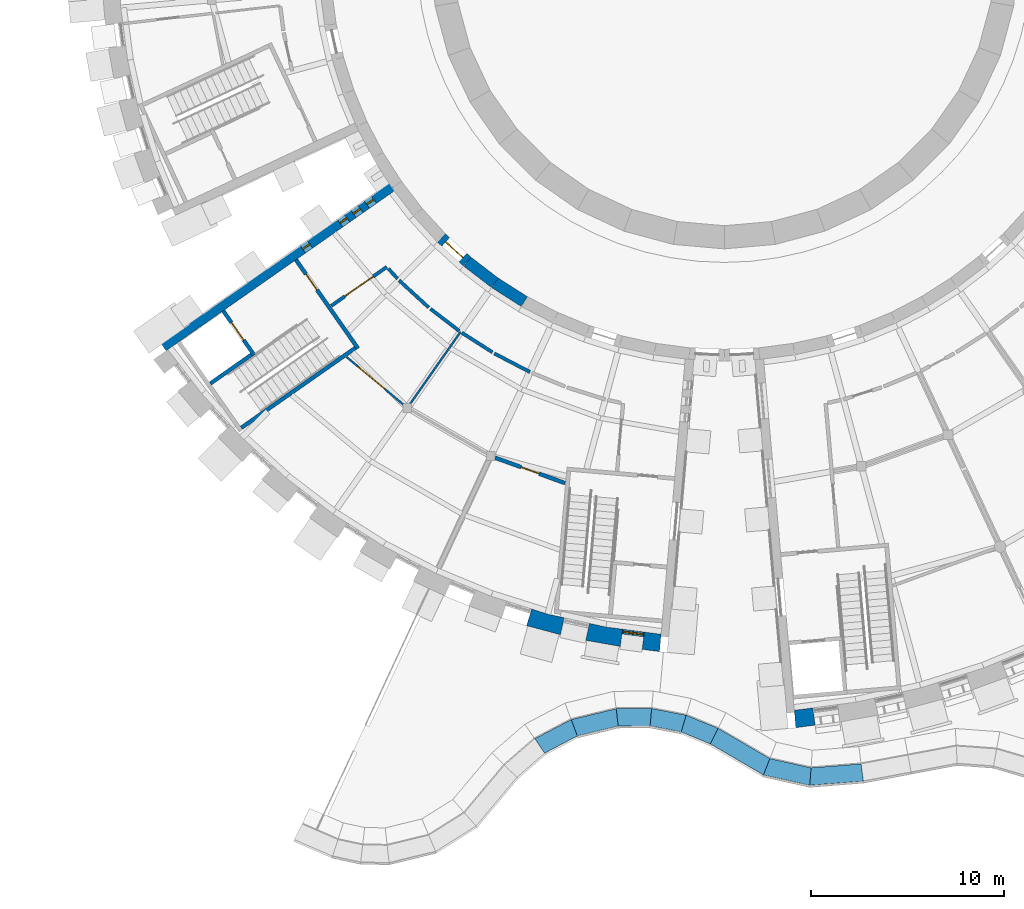
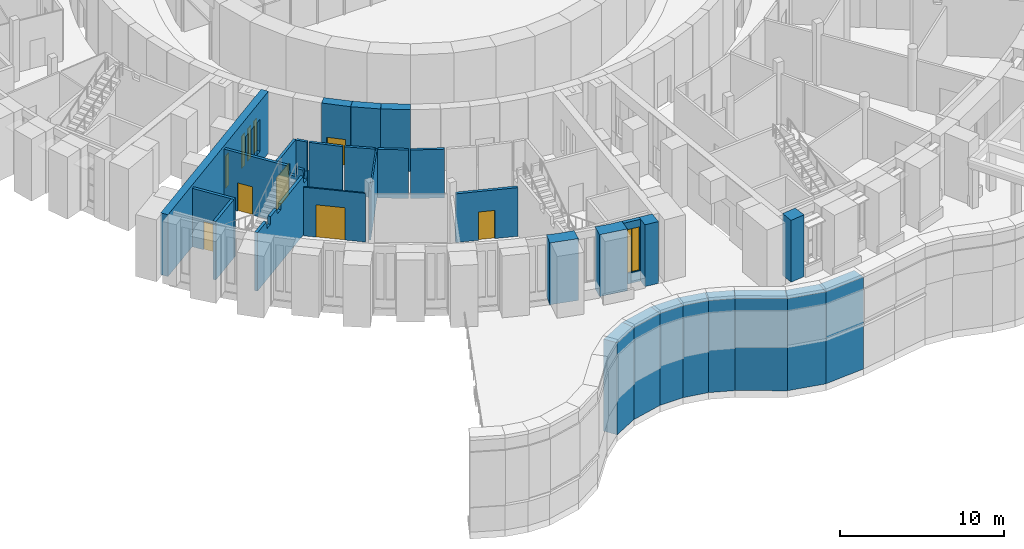
# One storey, part 46 of 85: 30 walls, 6 doors, 6 windows, 12 openings.
"""IFC4 building model written with IfcOpenShell, lengths in metres."""

from ifc_helpers import new_model, si_unit, direction, frame, frame_2d, origin, place, context, subcontext, project, spatial, polyline, rectangle, outline, extrude, material, layer, layer_set, type_object, element, fill, save


model = new_model("IFC4")

# Units and contexts
model_context = context("Model", 3, precision=1e-05, world=origin(), true_north=direction((0.0, 1.0)))
body_context = subcontext(model_context, "Body", "Model", "MODEL_VIEW")
ifc_project = project(units=[si_unit("LENGTHUNIT", "METRE"), si_unit("AREAUNIT", "SQUARE_METRE"), si_unit("VOLUMEUNIT", "CUBIC_METRE"), si_unit("PLANEANGLEUNIT", "RADIAN"), si_unit("MASSUNIT", "GRAM", prefix="KILO")], contexts=[model_context])

# Site, building, storey
site_placement = place(None, origin())
site = spatial("IfcSite", under=ifc_project, at=site_placement, CompositionType="ELEMENT")
building_placement = place(site_placement, origin())
building = spatial("IfcBuilding", under=site, at=building_placement, Name="Volute Hill Aquarium", CompositionType="ELEMENT")
storey_placement = place(building_placement, origin())
storey = spatial("IfcBuildingStorey", under=building, at=storey_placement, Name="L01", CompositionType="ELEMENT", Elevation=0.0)

# Wall, opening, door
ifc_material_1 = material(Name="Concrete C30/37", Category="concrete")
ifc_layer_1 = layer(ifc_material_1, 0.199951171875)
ifc_layer_set_1 = layer_set([ifc_layer_1], Name="Core wall 200 REI 60")
wall_type_1 = type_object("IfcWallType", Name="Core wall 200 REI 60", PredefinedType="SHEAR", material=ifc_layer_set_1)
wall_1_placement = place(storey_placement, frame((-22.166259765625, -15.76513671875, 0.0), z_axis=(0.0, 0.0, 1.0), x_axis=(0.573599855614, -0.819135645446, 0.0)))
wall_1 = element("IfcWall", 1, at=wall_1_placement, inside=storey, type_object=wall_type_1, Name="wc/S2-A/L01/in", PredefinedType="SHEAR", context=body_context, shape_type="SweptSolid", body=[
    extrude(outline(polyline([(0.0, 0.0), (5.60009765625, 0.0), (5.60009765625, 4.35009765625), (5.550048828125, 3.7900390625), (5.349853515625, 3.7900390625), (5.2998046875, 4.35009765625), (4.87841796875, 4.35009765625), (4.82861328125, 3.739990234375), (4.32861328125, 3.739990234375), (4.278564453125, 4.35009765625), (0.0, 4.35009765625), (0.0, 0.0)])), frame((0.0, 0.10009765625, 0.0), z_axis=(0.0, -1.0, 0.0), x_axis=(1.0, 0.0, 0.0)), (0.0, 0.0, 1.0), 0.199951171875),
])
opening_1_placement = place(wall_1_placement, frame((0.89990234375, 0.0, 0.0)))
opening_1 = element("IfcOpeningElement", 2, at=opening_1_placement, cuts=wall_1, Name="Opening D2.01.AS", PredefinedType="OPENING", context=body_context, shape_type="SweptSolid", body=[
    extrude(rectangle(XDim=1.0, YDim=2.10009765625, at=frame_2d((0.5, 1.050048828125))), frame((0.0, 0.10986328125, 0.0), z_axis=(0.0, -1.0, 0.0), x_axis=(1.0, 0.0, 0.0)), (0.0, 0.0, 1.0), 0.219970703125),
])
ifc_material_2 = material(Name="Timber, fire-rated", Category="wood")
door_type_1 = type_object("IfcDoorType", Name="Door 1000 x 2100 single EI1 30", OperationType="SINGLE_SWING_LEFT", PredefinedType="DOOR", material=ifc_material_2)
door_1_placement = place(opening_1_placement, origin())
door_1 = element("IfcDoor", 3, at=door_1_placement, inside=storey, type_object=door_type_1, Name="d/S2-A/L01/st", OperationType="SINGLE_SWING_RIGHT", OverallHeight=2.10009765625, OverallWidth=1.0, PredefinedType="DOOR", context=body_context, shape_type="SweptSolid", body=[
    extrude(rectangle(XDim=1.0, YDim=2.10009765625, at=frame_2d((0.5, 1.050048828125))), frame((0.0, 0.02490234375, 0.0), z_axis=(0.0, -1.0, 0.0), x_axis=(1.0, 0.0, 0.0)), (0.0, 0.0, 1.0), 0.050048828125),
])
fill(opening_1, door_1)

# Wall
wall_2_placement = place(storey_placement, frame((-19.093505859375, -20.327880859375, 0.0), z_axis=(0.0, 0.0, 1.0), x_axis=(-0.819161821637, -0.573562472597, 0.0)))
element("IfcWall", 4, at=wall_2_placement, inside=storey, type_object=wall_type_1, Name="wc/S2-A/L01/side", PredefinedType="SHEAR", context=body_context, shape_type="SweptSolid", body=[
    extrude(outline(polyline([(0.0, 0.0), (7.199951171875, 0.0), (7.199951171875, 4.35009765625), (5.8935546875, 4.35009765625), (5.843505859375, 3.7900390625), (5.343505859375, 3.7900390625), (5.293701171875, 4.35009765625), (4.397216796875, 4.35009765625), (4.34716796875, 3.93994140625), (3.84716796875, 3.93994140625), (3.797119140625, 4.35009765625), (0.577392578125, 4.35009765625), (0.52734375, 3.7900390625), (0.050048828125, 3.7900390625), (0.0, 4.35009765625), (0.0, 0.0)])), frame((0.0, 0.10009765625, 0.0), z_axis=(0.0, -1.0, 0.0), x_axis=(1.0, 0.0, 0.0)), (0.0, 0.0, 1.0), 0.199951171875),
])

# Wall, opening, door
ifc_material_3 = material(Name="Gypsum board on steel studs", Category="steel")
ifc_layer_2 = layer(ifc_material_3, 0.175048828125)
ifc_layer_set_2 = layer_set([ifc_layer_2], Name="Corridor partition 175 EI 60")
wall_type_2 = type_object("IfcWallType", Name="Corridor partition 175 EI 60", PredefinedType="PARTITIONING", material=ifc_layer_set_2)
wall_3_placement = place(storey_placement, frame((-17.464599609375, -16.135498046875, 0.0), z_axis=(0.0, 0.0, 1.0), x_axis=(-0.819192694316, -0.573518377717, 0.0)))
wall_3 = element("IfcWall", 5, at=wall_3_placement, inside=storey, type_object=wall_type_2, Name="pw/S2/L01/006", PredefinedType="PARTITIONING", context=body_context, shape_type="SweptSolid", body=[
    extrude(rectangle(XDim=3.509033203125, YDim=0.175048828125, at=frame_2d((1.75439453125, 0.0))), origin(), (0.0, 0.0, 1.0), 3.6201171875),
])
opening_2_placement = place(wall_3_placement, frame((0.8544921875, 0.0, 0.0)))
opening_2 = element("IfcOpeningElement", 6, at=opening_2_placement, cuts=wall_3, Name="Opening D2.01.01", PredefinedType="OPENING", context=body_context, shape_type="SweptSolid", body=[
    extrude(rectangle(XDim=1.800048828125, YDim=2.39990234375, at=frame_2d((0.89990234375, 1.199951171875))), frame((0.0, 0.097412109375, 0.0), z_axis=(0.0, -1.0, 0.0), x_axis=(1.0, 0.0, 0.0)), (0.0, 0.0, 1.0), 0.195068359375),
])
ifc_material_4 = material(Name="Timber, fire-rated", Category="wood")
door_type_2 = type_object("IfcDoorType", Name="Door 1800 x 2400 gallery double EI1 30", OperationType="DOUBLE_DOOR_SINGLE_SWING", PredefinedType="DOOR", material=ifc_material_4)
door_2_placement = place(opening_2_placement, origin())
door_2 = element("IfcDoor", 7, at=door_2_placement, inside=storey, type_object=door_type_2, Name="d/S2/L01/01", OperationType="SINGLE_SWING_LEFT", OverallHeight=2.39990234375, OverallWidth=1.800048828125, PredefinedType="DOOR", context=body_context, shape_type="SweptSolid", body=[
    extrude(rectangle(XDim=1.800048828125, YDim=2.39990234375, at=frame_2d((0.89990234375, 1.199951171875))), frame((0.0, 0.02490234375, 0.0), z_axis=(0.0, -1.0, 0.0), x_axis=(1.0, 0.0, 0.0)), (0.0, 0.0, 1.0), 0.050048828125),
])
fill(opening_2, door_2)

# Walls
wall_4_placement = place(storey_placement, frame((-15.29833984375, -18.23193359375, 0.0), z_axis=(0.0, 0.0, 1.0), x_axis=(-0.737241988031, 0.675628782013, 0.0)))
element("IfcWall", 8, at=wall_4_placement, inside=storey, type_object=wall_type_2, Name="pw/S2/L01/008", PredefinedType="PARTITIONING", context=body_context, shape_type="SweptSolid", body=[
    extrude(rectangle(XDim=2.076416015625, YDim=0.175048828125, at=frame_2d((1.0380859375, 0.0))), origin(), (0.0, 0.0, 1.0), 3.6201171875),
])
wall_5_placement = place(storey_placement, frame((-10.058349609375, -21.570068359375, 0.0), z_axis=(0.0, 0.0, 1.0), x_axis=(-0.886993362118, 0.461782173278, 0.0)))
element("IfcWall", 9, at=wall_5_placement, inside=storey, type_object=wall_type_2, Name="pw/S2/L01/009", PredefinedType="PARTITIONING", context=body_context, shape_type="SweptSolid", body=[
    extrude(rectangle(XDim=2.076171875, YDim=0.175048828125, at=frame_2d((1.0380859375, 0.0))), origin(), (0.0, 0.0, 1.0), 3.6201171875),
])
wall_6_placement = place(storey_placement, frame((-11.9990234375, -20.54833984375, 0.0), z_axis=(0.0, 0.0, 1.0), x_axis=(-0.843404579573, 0.537278991917, 0.0)))
element("IfcWall", 10, at=wall_6_placement, inside=storey, type_object=wall_type_2, Name="pw/S2/L01/011", PredefinedType="PARTITIONING", context=body_context, shape_type="SweptSolid", body=[
    extrude(rectangle(XDim=1.87890625, YDim=0.175048828125, at=frame_2d((0.939453125, 0.0))), origin(), (0.0, 0.0, 1.0), 3.6201171875),
])
wall_7_placement = place(storey_placement, frame((-13.714599609375, -19.447021484375, 0.0), z_axis=(0.0, 0.0, 1.0), x_axis=(-0.79338668339, 0.608717972973, 0.0)))
element("IfcWall", 11, at=wall_7_placement, inside=storey, type_object=wall_type_2, Name="pw/S2/L01/013", PredefinedType="PARTITIONING", context=body_context, shape_type="SweptSolid", body=[
    extrude(rectangle(XDim=1.878662109375, YDim=0.175048828125, at=frame_2d((0.939453125, 0.0))), origin(), (0.0, 0.0, 1.0), 3.6201171875),
])
wall_8_placement = place(storey_placement, frame((-16.908447265625, -16.742431640625, 0.0), z_axis=(0.0, 0.0, 1.0), x_axis=(-0.675834256002, 0.737053633337, 0.0)))
element("IfcWall", 12, at=wall_8_placement, inside=storey, type_object=wall_type_2, Name="pw/S2/L01/015", PredefinedType="PARTITIONING", context=body_context, shape_type="SweptSolid", body=[
    extrude(rectangle(XDim=0.705810546875, YDim=0.175048828125, at=frame_2d((0.35302734375, 0.0))), origin(), (0.0, 0.0, 1.0), 3.6201171875),
])

# Wall, opening, door
ifc_material_5 = material(Name="Concrete C35/45", Category="concrete")
ifc_layer_3 = layer(ifc_material_5, 0.60009765625)
ifc_layer_set_3 = layer_set([ifc_layer_3], Name="Drum wall C35/45 600")
wall_type_3 = type_object("IfcWallType", Name="Drum wall C35/45 600", PredefinedType="SHEAR", material=ifc_layer_set_3)
wall_9_placement = place(storey_placement, frame((-14.63720703125, -14.63720703125, 0.0), z_axis=(0.0, 0.0, 1.0), x_axis=(0.737322466268, -0.675540954152, 0.0)))
wall_9 = element("IfcWall", 13, at=wall_9_placement, inside=storey, type_object=wall_type_3, Name="sw/DR/L01/45", PredefinedType="SHEAR", context=body_context, shape_type="SweptSolid", body=[
    extrude(rectangle(XDim=1.805908203125, YDim=0.60009765625, at=frame_2d((0.90283203125, 0.0))), origin(), (0.0, 0.0, 1.0), 4.60009765625),
])
opening_3_placement = place(wall_9_placement, frame((0.302978515625, 0.0, 0.0)))
opening_3 = element("IfcOpeningElement", 14, at=opening_3_placement, cuts=wall_9, Name="Opening D2.01.R1", PredefinedType="OPENING", context=body_context, shape_type="SweptSolid", body=[
    extrude(rectangle(XDim=1.199951171875, YDim=2.10009765625, at=frame_2d((0.60009765625, 1.050048828125))), frame((0.0, 0.31005859375, 0.0), z_axis=(0.0, -1.0, 0.0), x_axis=(1.0, 0.0, 0.0)), (0.0, 0.0, 1.0), 0.6201171875),
])
ifc_material_6 = material(Name="Timber", Category="wood")
door_type_3 = type_object("IfcDoorType", Name="Door 1200 x 2100 drum double", OperationType="DOUBLE_DOOR_SINGLE_SWING", PredefinedType="DOOR", material=ifc_material_6)
door_3_placement = place(opening_3_placement, origin())
door_3 = element("IfcDoor", 15, at=door_3_placement, inside=storey, type_object=door_type_3, Name="d/S2/L01/dr1", OperationType="SINGLE_SWING_LEFT", OverallHeight=2.10009765625, OverallWidth=1.199951171875, PredefinedType="DOOR", context=body_context, shape_type="SweptSolid", body=[
    extrude(rectangle(XDim=1.199951171875, YDim=2.10009765625, at=frame_2d((0.60009765625, 1.050048828125))), frame((0.0, 0.02490234375, 0.0), z_axis=(0.0, -1.0, 0.0), x_axis=(1.0, 0.0, 0.0)), (0.0, 0.0, 1.0), 0.050048828125),
])
fill(opening_3, door_3)

# Walls
wall_10_placement = place(storey_placement, frame((-13.3056640625, -15.857177734375, 0.0), z_axis=(0.0, 0.0, 1.0), x_axis=(0.793397400526, -0.608704004289, 0.0)))
element("IfcWall", 16, at=wall_10_placement, inside=storey, type_object=wall_type_3, Name="sw/DR/L01/46", PredefinedType="SHEAR", context=body_context, shape_type="SweptSolid", body=[
    extrude(rectangle(XDim=1.8056640625, YDim=0.60009765625, at=frame_2d((0.90283203125, 0.0))), origin(), (0.0, 0.0, 1.0), 4.60009765625),
])
wall_11_placement = place(storey_placement, frame((-11.873046875, -16.956298828125, 0.0), z_axis=(0.0, 0.0, 1.0), x_axis=(0.843332890803, -0.537391510251, 0.0)))
element("IfcWall", 17, at=wall_11_placement, inside=storey, type_object=wall_type_3, Name="sw/DR/L01/47", PredefinedType="SHEAR", context=body_context, shape_type="SweptSolid", body=[
    extrude(rectangle(XDim=1.805908203125, YDim=0.60009765625, at=frame_2d((0.90283203125, 0.0))), origin(), (0.0, 0.0, 1.0), 4.60009765625),
])

# Wall, openings, windows
ifc_material_7 = material(Name="Concrete C35/45", Category="concrete")
ifc_layer_4 = layer(ifc_material_7, 0.5)
ifc_layer_set_4 = layer_set([ifc_layer_4], Name="End wall 500 C35/45")
wall_type_4 = type_object("IfcWallType", Name="End wall 500 C35/45", PredefinedType="SHEAR", material=ifc_layer_set_4)
wall_12_placement = place(storey_placement, frame((-17.14892578125, -11.94677734375, 0.0), z_axis=(0.0, 0.0, 1.0), x_axis=(-0.819150437903, -0.573578730501, 0.0)))
wall_12 = element("IfcWall", 18, at=wall_12_placement, inside=storey, type_object=wall_type_4, Name="sw/S2/L01/endA", PredefinedType="SHEAR", context=body_context, shape_type="SweptSolid", body=[
    extrude(rectangle(XDim=14.5, YDim=0.5, at=frame_2d((7.25, 0.0))), origin(), (0.0, 0.0, 1.0), 4.60009765625),
])
opening_4_placement = place(wall_12_placement, frame((1.206787109375, 0.0, 0.89990234375)))
opening_4 = element("IfcOpeningElement", 19, at=opening_4_placement, cuts=wall_12, Name="Opening W8", PredefinedType="OPENING", context=body_context, shape_type="SweptSolid", body=[
    extrude(rectangle(XDim=0.449951171875, YDim=2.39990234375, at=frame_2d((0.22509765625, 1.199951171875))), frame((0.0, 0.260009765625, 0.0), z_axis=(0.0, -1.0, 0.0), x_axis=(1.0, 0.0, 0.0)), (0.0, 0.0, 1.0), 0.52001953125),
])
opening_5_placement = place(wall_12_placement, frame((2.0498046875, 0.0, 0.89990234375)))
opening_5 = element("IfcOpeningElement", 20, at=opening_5_placement, cuts=wall_12, Name="Opening W8", PredefinedType="OPENING", context=body_context, shape_type="SweptSolid", body=[
    extrude(rectangle(XDim=0.449951171875, YDim=2.39990234375, at=frame_2d((0.22509765625, 1.199951171875))), frame((0.0, 0.260009765625, 0.0), z_axis=(0.0, -1.0, 0.0), x_axis=(1.0, 0.0, 0.0)), (0.0, 0.0, 1.0), 0.52001953125),
])
opening_6_placement = place(wall_12_placement, frame((2.892822265625, 0.0, 0.89990234375)))
opening_6 = element("IfcOpeningElement", 21, at=opening_6_placement, cuts=wall_12, Name="Opening W8", PredefinedType="OPENING", context=body_context, shape_type="SweptSolid", body=[
    extrude(rectangle(XDim=0.449951171875, YDim=2.39990234375, at=frame_2d((0.22509765625, 1.199951171875))), frame((0.0, 0.260009765625, 0.0), z_axis=(0.0, -1.0, 0.0), x_axis=(1.0, 0.0, 0.0)), (0.0, 0.0, 1.0), 0.52001953125),
])
opening_7_placement = place(wall_12_placement, frame((5.246826171875, 0.0, 0.89990234375)))
opening_7 = element("IfcOpeningElement", 22, at=opening_7_placement, cuts=wall_12, Name="Opening W8", PredefinedType="OPENING", context=body_context, shape_type="SweptSolid", body=[
    extrude(rectangle(XDim=0.449951171875, YDim=2.39990234375, at=frame_2d((0.22509765625, 1.199951171875))), frame((0.0, 0.260009765625, 0.0), z_axis=(0.0, -1.0, 0.0), x_axis=(1.0, 0.0, 0.0)), (0.0, 0.0, 1.0), 0.52001953125),
])
ifc_material_8 = material(Name="Aluminium and glass", Category="aluminium")
window_type_1 = type_object("IfcWindowType", Name="End wall window 450x2400", PartitioningType="SINGLE_PANEL", PredefinedType="WINDOW", material=ifc_material_8)
window_1_placement = place(opening_4_placement, origin())
window_1 = element("IfcWindow", 23, at=window_1_placement, inside=storey, type_object=window_type_1, Name="End wall window S2A L01 1.1", OverallHeight=2.39990234375, OverallWidth=0.449951171875, PartitioningType="SINGLE_PANEL", PredefinedType="WINDOW", context=body_context, shape_type="SweptSolid", body=[
    extrude(rectangle(XDim=0.449951171875, YDim=2.39990234375, at=frame_2d((0.22509765625, 1.199951171875))), frame((0.0, 0.030029296875, 0.0), z_axis=(0.0, -1.0, 0.0), x_axis=(1.0, 0.0, 0.0)), (0.0, 0.0, 1.0), 0.06005859375),
])
fill(opening_4, window_1)
window_2_placement = place(opening_5_placement, origin())
window_2 = element("IfcWindow", 24, at=window_2_placement, inside=storey, type_object=window_type_1, Name="End wall window S2A L01 1.2", OverallHeight=2.39990234375, OverallWidth=0.449951171875, PartitioningType="SINGLE_PANEL", PredefinedType="WINDOW", context=body_context, shape_type="SweptSolid", body=[
    extrude(rectangle(XDim=0.449951171875, YDim=2.39990234375, at=frame_2d((0.22509765625, 1.199951171875))), frame((0.0, 0.030029296875, 0.0), z_axis=(0.0, -1.0, 0.0), x_axis=(1.0, 0.0, 0.0)), (0.0, 0.0, 1.0), 0.06005859375),
])
fill(opening_5, window_2)
window_3_placement = place(opening_6_placement, origin())
window_3 = element("IfcWindow", 25, at=window_3_placement, inside=storey, type_object=window_type_1, Name="End wall window S2A L01 1.3", OverallHeight=2.39990234375, OverallWidth=0.449951171875, PartitioningType="SINGLE_PANEL", PredefinedType="WINDOW", context=body_context, shape_type="SweptSolid", body=[
    extrude(rectangle(XDim=0.449951171875, YDim=2.39990234375, at=frame_2d((0.22509765625, 1.199951171875))), frame((0.0, 0.030029296875, 0.0), z_axis=(0.0, -1.0, 0.0), x_axis=(1.0, 0.0, 0.0)), (0.0, 0.0, 1.0), 0.06005859375),
])
fill(opening_6, window_3)
window_4_placement = place(opening_7_placement, origin())
window_4 = element("IfcWindow", 26, at=window_4_placement, inside=storey, type_object=window_type_1, Name="End wall window S2A L01 2.1", OverallHeight=2.39990234375, OverallWidth=0.449951171875, PartitioningType="SINGLE_PANEL", PredefinedType="WINDOW", context=body_context, shape_type="SweptSolid", body=[
    extrude(rectangle(XDim=0.449951171875, YDim=2.39990234375, at=frame_2d((0.22509765625, 1.199951171875))), frame((0.0, 0.030029296875, 0.0), z_axis=(0.0, -1.0, 0.0), x_axis=(1.0, 0.0, 0.0)), (0.0, 0.0, 1.0), 0.06005859375),
])
fill(opening_7, window_4)

# Wall, opening, door
ifc_material_9 = material(Name="Masonry blockwork", Category="masonry")
ifc_layer_5 = layer(ifc_material_9, 0.199951171875)
ifc_layer_set_5 = layer_set([ifc_layer_5], Name="Fire partition 200 EI 60")
wall_type_5 = type_object("IfcWallType", Name="Fire partition 200 EI 60", PredefinedType="PARTITIONING", material=ifc_layer_set_5)
wall_13_placement = place(storey_placement, frame((-8.242431640625, -27.319580078125, 0.0), z_axis=(0.0, 0.0, 1.0), x_axis=(-0.939702700152, 0.341992449226, 0.0)))
wall_13 = element("IfcWall", 27, at=wall_13_placement, inside=storey, type_object=wall_type_5, Name="pw/S2/L01/004", PredefinedType="PARTITIONING", context=body_context, shape_type="SweptSolid", body=[
    extrude(rectangle(XDim=3.851318359375, YDim=0.199951171875, at=frame_2d((1.92578125, 0.0))), origin(), (0.0, 0.0, 1.0), 3.6201171875),
])
opening_8_placement = place(wall_13_placement, frame((1.42578125, 0.0, 0.0)))
opening_8 = element("IfcOpeningElement", 28, at=opening_8_placement, cuts=wall_13, Name="Opening D2.01.04", PredefinedType="OPENING", context=body_context, shape_type="SweptSolid", body=[
    extrude(rectangle(XDim=1.0, YDim=2.10009765625, at=frame_2d((0.5, 1.050048828125))), frame((0.0, 0.10986328125, 0.0), z_axis=(0.0, -1.0, 0.0), x_axis=(1.0, 0.0, 0.0)), (0.0, 0.0, 1.0), 0.219970703125),
])
door_4_placement = place(opening_8_placement, origin())
door_4 = element("IfcDoor", 29, at=door_4_placement, inside=storey, type_object=door_type_1, Name="d/S2/L01/04", OperationType="SINGLE_SWING_RIGHT", OverallHeight=2.10009765625, OverallWidth=1.0, PredefinedType="DOOR", context=body_context, shape_type="SweptSolid", body=[
    extrude(rectangle(XDim=1.0, YDim=2.10009765625, at=frame_2d((0.5, 1.050048828125))), frame((0.0, 0.02490234375, 0.0), z_axis=(0.0, -1.0, 0.0), x_axis=(1.0, 0.0, 0.0)), (0.0, 0.0, 1.0), 0.050048828125),
])
fill(opening_8, door_4)

# Wall
ifc_material_10 = material(Name="Gypsum board on steel studs", Category="steel")
ifc_layer_6 = layer(ifc_material_10, 0.10009765625)
ifc_layer_set_6 = layer_set([ifc_layer_6], Name="Light partition 100")
wall_type_6 = type_object("IfcWallType", Name="Light partition 100", PredefinedType="PARTITIONING", material=ifc_layer_set_6)
wall_14_placement = place(storey_placement, frame((-13.651123046875, -19.495849609375, 0.0), z_axis=(0.0, 0.0, 1.0), x_axis=(-0.573606061695, -0.819131299602, 0.0)))
element("IfcWall", 30, at=wall_14_placement, inside=storey, type_object=wall_type_6, Name="pw/S2/L01/002", PredefinedType="PARTITIONING", context=body_context, shape_type="SweptSolid", body=[
    extrude(rectangle(XDim=4.56005859375, YDim=0.10009765625, at=frame_2d((2.280029296875, 0.0))), origin(), (0.0, 0.0, 1.0), 3.6201171875),
])

# Wall, opening, door
wall_15_placement = place(storey_placement, frame((-16.588134765625, -23.2734375, 0.0), z_axis=(0.0, 0.0, 1.0), x_axis=(-0.766065667782, 0.64276231427, 0.0)))
wall_15 = element("IfcWall", 31, at=wall_15_placement, inside=storey, type_object=wall_type_6, Name="pw/S2/L01/005", PredefinedType="PARTITIONING", context=body_context, shape_type="SweptSolid", body=[
    extrude(rectangle(XDim=3.85107421875, YDim=0.10009765625, at=frame_2d((1.925537109375, 0.0))), origin(), (0.0, 0.0, 1.0), 3.6201171875),
])
opening_9_placement = place(wall_15_placement, frame((1.275634765625, 0.0, 0.0)))
opening_9 = element("IfcOpeningElement", 32, at=opening_9_placement, cuts=wall_15, Name="Opening D2.01.03", PredefinedType="OPENING", context=body_context, shape_type="SweptSolid", body=[
    extrude(rectangle(XDim=1.800048828125, YDim=2.39990234375, at=frame_2d((0.89990234375, 1.199951171875))), frame((0.0, 0.06005859375, 0.0), z_axis=(0.0, -1.0, 0.0), x_axis=(1.0, 0.0, 0.0)), (0.0, 0.0, 1.0), 0.1201171875),
])
ifc_material_11 = material(Name="Timber", Category="wood")
door_type_4 = type_object("IfcDoorType", Name="Door 1800 x 2400 gallery double", OperationType="DOUBLE_DOOR_SINGLE_SWING", PredefinedType="DOOR", material=ifc_material_11)
door_5_placement = place(opening_9_placement, origin())
door_5 = element("IfcDoor", 33, at=door_5_placement, inside=storey, type_object=door_type_4, Name="d/S2/L01/03", OperationType="SINGLE_SWING_LEFT", OverallHeight=2.39990234375, OverallWidth=1.800048828125, PredefinedType="DOOR", context=body_context, shape_type="SweptSolid", body=[
    extrude(rectangle(XDim=1.800048828125, YDim=2.39990234375, at=frame_2d((0.89990234375, 1.199951171875))), frame((0.0, 0.02490234375, 0.0), z_axis=(0.0, -1.0, 0.0), x_axis=(1.0, 0.0, 0.0)), (0.0, 0.0, 1.0), 0.050048828125),
])
fill(opening_9, door_5)

# Wall, openings, windows
ifc_material_12 = material(Name="Concrete C30/37", Category="concrete")
ifc_layer_7 = layer(ifc_material_12, 0.25)
ifc_layer_set_7 = layer_set([ifc_layer_7], Name="Niche back wall full height 250")
wall_type_7 = type_object("IfcWallType", Name="Niche back wall full height 250", PredefinedType="NOTDEFINED", material=ifc_layer_set_7)
wall_16_placement = place(storey_placement, frame((-4.153076171875, -35.149658203125, 0.0), z_axis=(0.0, 0.0, 1.0), x_axis=(-0.991443366471, 0.130537546632, 0.0)))
wall_16 = element("IfcWall", 34, at=wall_16_placement, inside=storey, type_object=wall_type_7, Name="Niche back wall OWN S2 L01 10", PredefinedType="NOTDEFINED", context=body_context, shape_type="SweptSolid", body=[
    extrude(rectangle(XDim=1.140869140625, YDim=0.25, at=frame_2d((0.5703125, 0.0))), origin(), (0.0, 0.0, 1.0), 4.60009765625),
])
opening_10_placement = place(wall_16_placement, frame((0.582763671875, 0.0, 0.800048828125)))
opening_10 = element("IfcOpeningElement", 35, at=opening_10_placement, cuts=wall_16, Name="Opening W5", PredefinedType="OPENING", context=body_context, shape_type="SweptSolid", body=[
    extrude(rectangle(XDim=0.5, YDim=3.25, at=frame_2d((0.25, 1.625))), frame((0.0, 0.135009765625, 0.0), z_axis=(0.0, -1.0, 0.0), x_axis=(1.0, 0.0, 0.0)), (0.0, 0.0, 1.0), 0.27001953125),
])
opening_11_placement = place(wall_16_placement, frame((0.05810546875, 0.0, 0.800048828125)))
opening_11 = element("IfcOpeningElement", 36, at=opening_11_placement, cuts=wall_16, Name="Opening W5", PredefinedType="OPENING", context=body_context, shape_type="SweptSolid", body=[
    extrude(rectangle(XDim=0.5, YDim=3.25, at=frame_2d((0.25, 1.625))), frame((0.0, 0.135009765625, 0.0), z_axis=(0.0, -1.0, 0.0), x_axis=(1.0, 0.0, 0.0)), (0.0, 0.0, 1.0), 0.27001953125),
])
ifc_material_13 = material(Name="Aluminium and glass", Category="aluminium")
window_type_2 = type_object("IfcWindowType", Name="Slit window 500x3250", PartitioningType="SINGLE_PANEL", PredefinedType="WINDOW", material=ifc_material_13)
window_5_placement = place(opening_10_placement, origin())
window_5 = element("IfcWindow", 37, at=window_5_placement, inside=storey, type_object=window_type_2, Name="Slit window S2 L01 10.1.1", OverallHeight=3.25, OverallWidth=0.5, PartitioningType="SINGLE_PANEL", PredefinedType="WINDOW", context=body_context, shape_type="SweptSolid", body=[
    extrude(rectangle(XDim=0.5, YDim=3.25, at=frame_2d((0.25, 1.625))), frame((0.0, 0.030029296875, 0.0), z_axis=(0.0, -1.0, 0.0), x_axis=(1.0, 0.0, 0.0)), (0.0, 0.0, 1.0), 0.06005859375),
])
fill(opening_10, window_5)
window_6_placement = place(opening_11_placement, origin())
window_6 = element("IfcWindow", 38, at=window_6_placement, inside=storey, type_object=window_type_2, Name="Slit window S2 L01 10.1.2", OverallHeight=3.25, OverallWidth=0.5, PartitioningType="SINGLE_PANEL", PredefinedType="WINDOW", context=body_context, shape_type="SweptSolid", body=[
    extrude(rectangle(XDim=0.5, YDim=3.25, at=frame_2d((0.25, 1.625))), frame((0.0, 0.030029296875, 0.0), z_axis=(0.0, -1.0, 0.0), x_axis=(1.0, 0.0, 0.0)), (0.0, 0.0, 1.0), 0.06005859375),
])
fill(opening_11, window_6)

# Walls
ifc_material_14 = material(Name="Precast concrete C40/50", Category="concrete")
ifc_layer_8 = layer(ifc_material_14, 0.89990234375)
ifc_layer_set_8 = layer_set([ifc_layer_8], Name="Outer pier precast concrete C40/50 900")
wall_type_8 = type_object("IfcWallType", Name="Outer pier precast concrete C40/50 900", PredefinedType="NOTDEFINED", material=ifc_layer_set_8)
wall_17_placement = place(storey_placement, origin())
element("IfcWall", 39, at=wall_17_placement, inside=storey, type_object=wall_type_8, Name="Outer pier OWP S2 L01 9", PredefinedType="NOTDEFINED", context=body_context, shape_type="SweptSolid", body=[
    extrude(outline(polyline([(-9.965087890625, -33.83544921875), (-10.23583984375, -34.69384765625), (-8.482421875, -35.16357421875), (-8.28759765625, -34.284912109375), (-9.13623046875, -34.0966796875), (-9.965087890625, -33.83544921875)])), origin(), (0.0, 0.0, 1.0), 4.60009765625),
])
wall_18_placement = place(storey_placement, origin())
element("IfcWall", 40, at=wall_18_placement, inside=storey, type_object=wall_type_8, Name="Outer pier OWP S2 L01 10", PredefinedType="NOTDEFINED", context=body_context, shape_type="SweptSolid", body=[
    extrude(outline(polyline([(-6.978271484375, -34.5751953125), (-7.173095703125, -35.453857421875), (-5.385498046875, -35.76904296875), (-5.267822265625, -34.876708984375), (-6.129638671875, -34.76318359375), (-6.978271484375, -34.5751953125)])), origin(), (0.0, 0.0, 1.0), 4.60009765625),
])
wall_19_placement = place(storey_placement, origin())
element("IfcWall", 41, at=wall_19_placement, inside=storey, type_object=wall_type_8, Name="Outer pier OWP S2 L01 11", PredefinedType="NOTDEFINED", context=body_context, shape_type="SweptSolid", body=[
    extrude(outline(polyline([(-4.13671875, -35.025634765625), (-4.25439453125, -35.91796875), (-3.353515625, -36.03662109375), (-3.275146484375, -35.13916015625), (-4.13671875, -35.025634765625)])), origin(), (0.0, 0.0, 1.0), 4.60009765625),
])
wall_20_placement = place(storey_placement, origin())
element("IfcWall", 42, at=wall_20_placement, inside=storey, type_object=wall_type_8, Name="Outer pier OWP S3 L01 1", PredefinedType="NOTDEFINED", context=body_context, shape_type="SweptSolid", body=[
    extrude(outline(polyline([(3.619384765625, -39.073974609375), (3.69775390625, -39.971435546875), (4.69580078125, -39.840087890625), (4.578369140625, -38.94775390625), (3.619384765625, -39.073974609375)])), origin(), (0.0, 0.0, 1.0), 4.60009765625),
])

# Wall, opening, door
ifc_material_15 = material(Name="Concrete C30/37", Category="concrete")
ifc_layer_9 = layer(ifc_material_15, 0.199951171875)
ifc_layer_set_9 = layer_set([ifc_layer_9], Name="Shaft wall 200 EI 60")
wall_type_9 = type_object("IfcWallType", Name="Shaft wall 200 EI 60", PredefinedType="SOLIDWALL", material=ifc_layer_set_9)
wall_21_placement = place(storey_placement, frame((-25.934326171875, -18.403564453125, 0.0), z_axis=(0.0, 0.0, 1.0), x_axis=(0.573550118428, -0.819170471667, 0.0)))
wall_21 = element("IfcWall", 43, at=wall_21_placement, inside=storey, type_object=wall_type_9, Name="wc/S2-A/L01/front", PredefinedType="SOLIDWALL", context=body_context, shape_type="SweptSolid", body=[
    extrude(rectangle(XDim=2.800048828125, YDim=0.199951171875, at=frame_2d((1.39990234375, 0.0))), origin(), (0.0, 0.0, 1.0), 4.35009765625),
])
opening_12_placement = place(wall_21_placement, frame((0.75, 0.0, 0.0)))
opening_12 = element("IfcOpeningElement", 44, at=opening_12_placement, cuts=wall_21, Name="Opening LD2.01.A", PredefinedType="OPENING", context=body_context, shape_type="SweptSolid", body=[
    extrude(rectangle(XDim=1.10009765625, YDim=2.10009765625, at=frame_2d((0.550048828125, 1.050048828125))), frame((0.0, 0.10986328125, 0.0), z_axis=(0.0, -1.0, 0.0), x_axis=(1.0, 0.0, 0.0)), (0.0, 0.0, 1.0), 0.219970703125),
])
ifc_material_16 = material(Name="Stainless steel", Category="steel")
door_type_5 = type_object("IfcDoorType", Name="Lift landing door 1100 x 2100", OperationType="SLIDING_TO_LEFT", PredefinedType="DOOR", material=ifc_material_16)
door_6_placement = place(opening_12_placement, origin())
door_6 = element("IfcDoor", 45, at=door_6_placement, inside=storey, type_object=door_type_5, Name="d/S2-A/L01/ld", OperationType="SLIDING_TO_LEFT", OverallHeight=2.10009765625, OverallWidth=1.10009765625, PredefinedType="DOOR", context=body_context, shape_type="SweptSolid", body=[
    extrude(rectangle(XDim=1.10009765625, YDim=2.10009765625, at=frame_2d((0.550048828125, 1.050048828125))), frame((0.0, 0.02490234375, 0.0), z_axis=(0.0, -1.0, 0.0), x_axis=(1.0, 0.0, 0.0)), (0.0, 0.0, 1.0), 0.050048828125),
])
fill(opening_12, door_6)

# Walls
wall_22_placement = place(storey_placement, frame((-24.467529296875, -20.672607421875, 0.0), z_axis=(0.0, 0.0, 1.0), x_axis=(-0.819178980414, -0.573537965655, 0.0)))
element("IfcWall", 46, at=wall_22_placement, inside=storey, type_object=wall_type_9, Name="wc/S2-A/L01/shaft-side", PredefinedType="SOLIDWALL", context=body_context, shape_type="SweptSolid", body=[
    extrude(rectangle(XDim=2.60009765625, YDim=0.199951171875, at=frame_2d((1.300048828125, 0.0))), origin(), (0.0, 0.0, 1.0), 4.35009765625),
])
ifc_material_17 = material(Name="Concrete C30/37", Category="concrete")
ifc_layer_10 = layer(ifc_material_17, 0.89990234375)
ifc_layer_set_10 = layer_set([ifc_layer_10], Name="Site edge retaining wall C30/37 900")
wall_type_10 = type_object("IfcWallType", Name="Site edge retaining wall C30/37 900", PredefinedType="SOLIDWALL", material=ifc_layer_set_10)
wall_23_placement = place(storey_placement, frame((0.0, 0.0, -6.0)))
element("IfcWall", 47, at=wall_23_placement, inside=storey, type_object=wall_type_10, Name="rw/E20UP/L01/0", PredefinedType="SOLIDWALL", context=body_context, shape_type="SweptSolid", body=[
    extrude(outline(polyline([(-9.301025390625, -41.291015625), (-7.6064453125, -40.399658203125), (-7.92626953125, -39.551025390625), (-9.812255859375, -40.54296875), (-9.301025390625, -41.291015625), (-9.301025390625, -41.291015625)])), origin(), (0.0, 0.0, 1.0), 6.85009765625),
])
wall_24_placement = place(storey_placement, frame((0.0, 0.0, -6.0)))
element("IfcWall", 48, at=wall_24_placement, inside=storey, type_object=wall_type_10, Name="rw/E21UP/L01/0", PredefinedType="SOLIDWALL", context=body_context, shape_type="SweptSolid", body=[
    extrude(outline(polyline([(-5.490478515625, -39.88916015625), (-5.490478515625, -39.88916015625), (-5.60009765625, -38.98974609375), (-7.92626953125, -39.551025390625), (-7.92626953125, -39.551025390625), (-7.6064453125, -40.399658203125), (-7.6064453125, -40.399658203125), (-5.490478515625, -39.88916015625)])), origin(), (0.0, 0.0, 1.0), 6.85009765625),
])
wall_25_placement = place(storey_placement, frame((0.0, 0.0, -6.0)))
element("IfcWall", 49, at=wall_25_placement, inside=storey, type_object=wall_type_10, Name="rw/E22UP/L01/0", PredefinedType="SOLIDWALL", context=body_context, shape_type="SweptSolid", body=[
    extrude(outline(polyline([(-3.845703125, -39.87939453125), (-3.845703125, -39.87939453125), (-3.761474609375, -38.97900390625), (-3.761474609375, -38.97900390625), (-5.60009765625, -38.98974609375), (-5.60009765625, -38.98974609375), (-5.490478515625, -39.88916015625), (-3.845703125, -39.87939453125)])), origin(), (0.0, 0.0, 1.0), 6.85009765625),
])
wall_26_placement = place(storey_placement, frame((0.0, 0.0, -6.0)))
element("IfcWall", 50, at=wall_26_placement, inside=storey, type_object=wall_type_10, Name="rw/E23UP/L01/0", PredefinedType="SOLIDWALL", context=body_context, shape_type="SweptSolid", body=[
    extrude(outline(polyline([(-2.23583984375, -40.192626953125), (-2.23583984375, -40.192626953125), (-1.976318359375, -39.326171875), (-1.976318359375, -39.326171875), (-3.761474609375, -38.97900390625), (-3.845703125, -39.87939453125), (-2.23583984375, -40.192626953125)])), origin(), (0.0, 0.0, 1.0), 6.85009765625),
])
wall_27_placement = place(storey_placement, frame((0.0, 0.0, -6.0)))
element("IfcWall", 51, at=wall_27_placement, inside=storey, type_object=wall_type_10, Name="rw/E24UP/L01/0", PredefinedType="SOLIDWALL", context=body_context, shape_type="SweptSolid", body=[
    extrude(outline(polyline([(-2.23583984375, -40.192626953125), (-0.727294921875, -40.812744140625), (-0.327392578125, -40.004150390625), (-1.976318359375, -39.326171875), (-2.23583984375, -40.192626953125)])), origin(), (0.0, 0.0, 1.0), 6.85009765625),
])
wall_28_placement = place(storey_placement, frame((0.0, 0.0, -6.0)))
element("IfcWall", 52, at=wall_28_placement, inside=storey, type_object=wall_type_10, Name="rw/E25UP/L01/0", PredefinedType="SOLIDWALL", context=body_context, shape_type="SweptSolid", body=[
    extrude(outline(polyline([(2.0205078125, -42.41845703125), (2.0205078125, -42.41845703125), (2.354248046875, -41.571044921875), (-0.327392578125, -40.004150390625), (-0.327392578125, -40.004150390625), (-0.727294921875, -40.812744140625), (-0.727294921875, -40.812744140625), (2.0205078125, -42.41845703125)])), origin(), (0.0, 0.0, 1.0), 6.85009765625),
])
wall_29_placement = place(storey_placement, frame((0.0, 0.0, -6.0)))
element("IfcWall", 53, at=wall_29_placement, inside=storey, type_object=wall_type_10, Name="rw/E26UP/L01/0", PredefinedType="SOLIDWALL", context=body_context, shape_type="SweptSolid", body=[
    extrude(outline(polyline([(2.0205078125, -42.41845703125), (4.4189453125, -42.9580078125), (4.483642578125, -42.050048828125), (2.354248046875, -41.571044921875), (2.354248046875, -41.571044921875), (2.0205078125, -42.41845703125)])), origin(), (0.0, 0.0, 1.0), 6.85009765625),
])
wall_30_placement = place(storey_placement, frame((0.0, 0.0, -6.0)))
element("IfcWall", 54, at=wall_30_placement, inside=storey, type_object=wall_type_10, Name="rw/E27UP/L01/0", PredefinedType="SOLIDWALL", context=body_context, shape_type="SweptSolid", body=[
    extrude(outline(polyline([(7.1943359375, -42.73779296875), (7.1943359375, -42.73779296875), (7.075439453125, -41.844482421875), (4.483642578125, -42.050048828125), (4.483642578125, -42.050048828125), (4.4189453125, -42.9580078125), (4.4189453125, -42.9580078125), (7.1943359375, -42.73779296875)])), origin(), (0.0, 0.0, 1.0), 6.85009765625),
])

save(model, "model.ifc")
